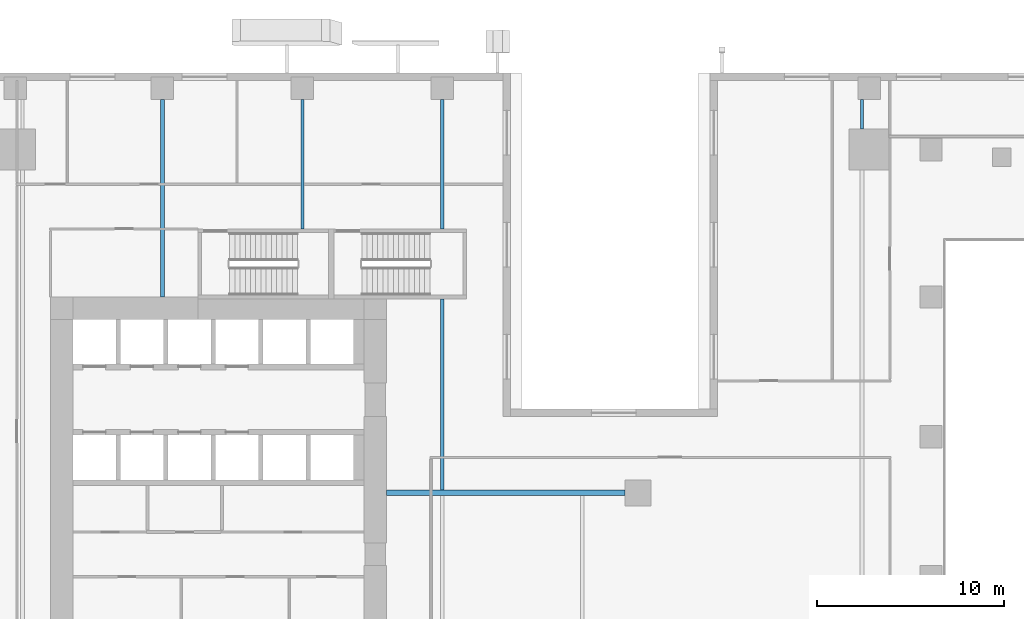
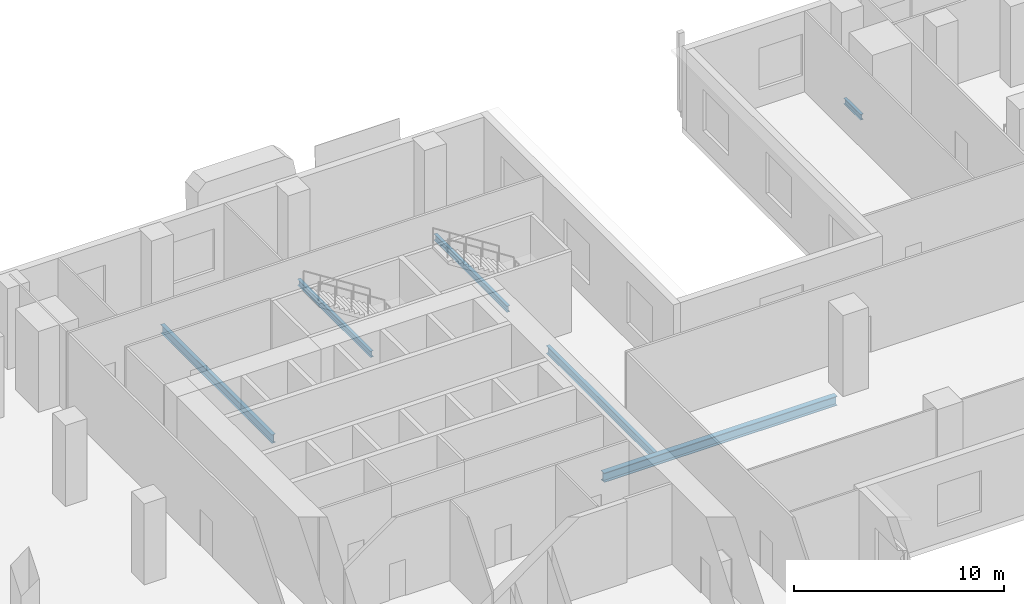
# One storey, part 5 of 23: 6 beams.
"""IFC4 building model written with IfcOpenShell, lengths in metres."""

from ifc_helpers import new_model, si_unit, direction, frame, origin, origin_2d, place, context, subcontext, project, spatial, i_section, extrude, source, transform, mapped, material, material_profile, profile_set, type_object, element, save


model = new_model("IFC4")

# Units and contexts
model_context = context("Model", 3, precision=1e-05, world=origin(), true_north=direction((0.0, 1.0)))
body_context = subcontext(model_context, "Body", "Model", "MODEL_VIEW")
ifc_project = project(units=[si_unit("LENGTHUNIT", "METRE"), si_unit("AREAUNIT", "SQUARE_METRE"), si_unit("VOLUMEUNIT", "CUBIC_METRE"), si_unit("PLANEANGLEUNIT", "RADIAN"), si_unit("MASSUNIT", "GRAM", prefix="KILO")], contexts=[model_context])

# Site, building, storey
site_placement = place(None, origin())
site = spatial("IfcSite", under=ifc_project, at=site_placement, CompositionType="ELEMENT")
building_placement = place(site_placement, origin())
building = spatial("IfcBuilding", under=site, at=building_placement, Name="Khomas Fold Tower", CompositionType="ELEMENT")
storey_placement = place(building_placement, frame((0.0, 0.0, 18.5)))
storey = spatial("IfcBuildingStorey", under=building, at=storey_placement, Name="L03", CompositionType="ELEMENT", Elevation=18.5)

# Beams
ifc_material_1 = material(Name="Steel S355", Category="steel")
ifc_material_profile_1 = material_profile(ifc_material_1, i_section(OverallWidth=0.300048828125, OverallDepth=0.550048828125, WebThickness=0.014892578125, FlangeThickness=0.029052734375, at=origin_2d()), Name="HE 550 B")
ifc_profile_set_1 = profile_set([ifc_material_profile_1], Name="Steel S355")
beam_type_1 = type_object("IfcBeamType", Name="HE 550 B beam GB4", PredefinedType="BEAM", material=ifc_profile_set_1)
shared_shape_1 = source(origin(), body_context, "Body", "SweptSolid", [
    extrude(i_section(OverallWidth=0.300048828125, OverallDepth=0.550048828125, WebThickness=0.014892578125, FlangeThickness=0.029052734375, at=origin_2d()), origin(), (0.0, 0.0, 1.0), 12.800048828125),
])
beam_1_placement = place(storey_placement, frame((24.0, 31.5, -0.574951171875), z_axis=(1.0, 0.0, 0.0), x_axis=(0.0, 1.0, 0.0)))
element("IfcBeam", 1, at=beam_1_placement, inside=storey, type_object=beam_type_1, Name="GB4", PredefinedType="BEAM", context=body_context, shape_type="MappedRepresentation", body=[
    mapped(shared_shape_1, transform((0.0, 0.0, 0.0))),
])
ifc_material_2 = material(Name="Steel S355", Category="steel")
ifc_material_profile_2 = material_profile(ifc_material_2, i_section(OverallWidth=0.159912109375, OverallDepth=0.330078125, WebThickness=0.007568359375, FlangeThickness=0.011474609375, at=origin_2d()), Name="IPE 330")
ifc_profile_set_2 = profile_set([ifc_material_profile_2], Name="Steel S355")
beam_type_2 = type_object("IfcBeamType", Name="IPE 330 beam JB1", PredefinedType="BEAM", material=ifc_profile_set_2)
shared_shape_2 = source(origin(), body_context, "Body", "SweptSolid", [
    extrude(i_section(OverallWidth=0.159912109375, OverallDepth=0.330078125, WebThickness=0.007568359375, FlangeThickness=0.011474609375, at=origin_2d()), origin(), (0.0, 0.0, 1.0), 1.60009765625),
])
beam_2_placement = place(storey_placement, frame((49.5, 51.0, -0.465087890625), z_axis=(0.0, 1.0, 0.0), x_axis=(-1.0, 0.0, 0.0)))
element("IfcBeam", 2, at=beam_2_placement, inside=storey, type_object=beam_type_2, Name="JB1", PredefinedType="BEAM", context=body_context, shape_type="MappedRepresentation", body=[
    mapped(shared_shape_2, transform((0.0, 0.0, 0.0))),
])
ifc_material_3 = material(Name="Steel S355", Category="steel")
ifc_material_profile_3 = material_profile(ifc_material_3, i_section(OverallWidth=0.199951171875, OverallDepth=0.5, WebThickness=0.01025390625, FlangeThickness=0.01611328125, at=origin_2d()), Name="IPE 500")
ifc_profile_set_3 = profile_set([ifc_material_profile_3], Name="Steel S355")
beam_type_3 = type_object("IfcBeamType", Name="IPE 500 beam JB5", PredefinedType="BEAM", material=ifc_profile_set_3)
shared_shape_3 = source(origin(), body_context, "Body", "SweptSolid", [
    extrude(i_section(OverallWidth=0.199951171875, OverallDepth=0.5, WebThickness=0.01025390625, FlangeThickness=0.01611328125, at=origin_2d()), origin(), (0.0, 0.0, 1.0), 10.60009765625),
])
beam_3_placement = place(storey_placement, frame((12.0, 42.0, -0.550048828125), z_axis=(0.0, 1.0, 0.0), x_axis=(-1.0, 0.0, 0.0)))
element("IfcBeam", 3, at=beam_3_placement, inside=storey, type_object=beam_type_3, Name="JB5", PredefinedType="BEAM", context=body_context, shape_type="MappedRepresentation", body=[
    mapped(shared_shape_3, transform((0.0, 0.0, 0.0))),
])
ifc_material_4 = material(Name="Steel S355", Category="steel")
ifc_material_profile_4 = material_profile(ifc_material_4, i_section(OverallWidth=0.169921875, OverallDepth=0.360107421875, WebThickness=0.008056640625, FlangeThickness=0.0126953125, at=origin_2d()), Name="IPE 360")
ifc_profile_set_4 = profile_set([ifc_material_profile_4], Name="Steel S355")
beam_type_4 = type_object("IfcBeamType", Name="IPE 360 beam JB2", PredefinedType="BEAM", material=ifc_profile_set_4)
shared_shape_4 = source(origin(), body_context, "Body", "SweptSolid", [
    extrude(i_section(OverallWidth=0.169921875, OverallDepth=0.360107421875, WebThickness=0.008056640625, FlangeThickness=0.0126953125, at=origin_2d()), origin(), (0.0, 0.0, 1.0), 6.9501953125),
])
for number, where, z_axis, x_axis, name in (
    (4, (19.5, 45.64990234375, -0.47998046875), (0.0, 1.0, 0.0), (-1.0, 0.0, 0.0), "JB2"),
    (5, (27.0, 45.64990234375, -0.47998046875), (0.0, 1.0, 0.0), (-1.0, 0.0, 0.0), "JB2"),
):
    element("IfcBeam", number, at=place(storey_placement, frame(where, z_axis=z_axis, x_axis=x_axis)), inside=storey, type_object=beam_type_4, Name=name, PredefinedType="BEAM", context=body_context, shape_type="MappedRepresentation", body=[
        mapped(shared_shape_4, transform((0.0, 0.0, 0.0))),
    ])
ifc_material_5 = material(Name="Steel S355", Category="steel")
ifc_material_profile_5 = material_profile(ifc_material_5, i_section(OverallWidth=0.18994140625, OverallDepth=0.449951171875, WebThickness=0.009521484375, FlangeThickness=0.0146484375, at=origin_2d()), Name="IPE 450")
ifc_profile_set_5 = profile_set([ifc_material_profile_5], Name="Steel S355")
beam_type_5 = type_object("IfcBeamType", Name="IPE 450 beam JB4", PredefinedType="BEAM", material=ifc_profile_set_5)
shared_shape_5 = source(origin(), body_context, "Body", "SweptSolid", [
    extrude(i_section(OverallWidth=0.18994140625, OverallDepth=0.449951171875, WebThickness=0.009521484375, FlangeThickness=0.0146484375, at=origin_2d()), origin(), (0.0, 0.0, 1.0), 10.25),
])
beam_4_placement = place(storey_placement, frame((27.0, 31.64990234375, -0.52490234375), z_axis=(0.0, 1.0, 0.0), x_axis=(-1.0, 0.0, 0.0)))
element("IfcBeam", 6, at=beam_4_placement, inside=storey, type_object=beam_type_5, Name="JB4", PredefinedType="BEAM", context=body_context, shape_type="MappedRepresentation", body=[
    mapped(shared_shape_5, transform((0.0, 0.0, 0.0))),
])

save(model, "model.ifc")
